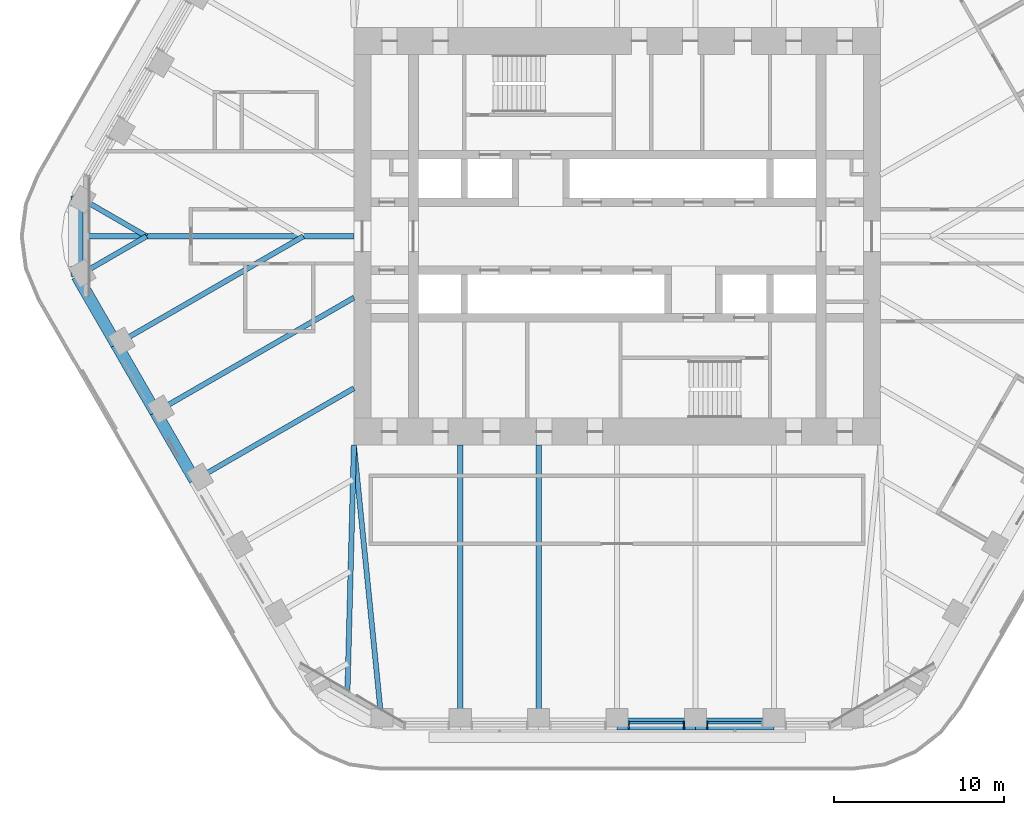
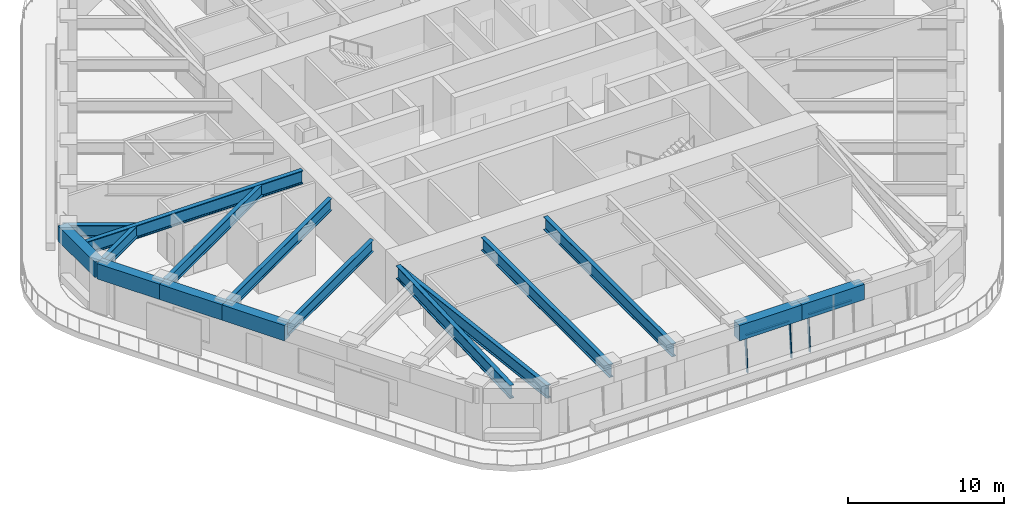
# One storey, part 3 of 20: 16 beams, 5 members, 2 elements without a shape of their own.
"""IFC4 building model written with IfcOpenShell, lengths in metres."""

from ifc_helpers import new_model, si_unit, direction, frame, origin, origin_2d, place, context, subcontext, project, spatial, rectangle, i_section, extrude, material, material_profile, profile_set, type_object, element, aggregate, save


model = new_model("IFC4")

# Units and contexts
model_context = context("Model", 3, precision=1e-05, world=origin(), true_north=direction((0.0, 1.0)))
body_context = subcontext(model_context, "Body", "Model", "MODEL_VIEW")
ifc_project = project(units=[si_unit("LENGTHUNIT", "METRE"), si_unit("AREAUNIT", "SQUARE_METRE"), si_unit("VOLUMEUNIT", "CUBIC_METRE"), si_unit("PLANEANGLEUNIT", "RADIAN"), si_unit("MASSUNIT", "GRAM", prefix="KILO")], contexts=[model_context])

# Site, building, storey
site_placement = place(None, origin())
site = spatial("IfcSite", under=ifc_project, at=site_placement, CompositionType="ELEMENT")
building_placement = place(site_placement, origin())
building = spatial("IfcBuilding", under=site, at=building_placement, Name="Tarfa Lantern Tower", CompositionType="ELEMENT")
storey_placement = place(building_placement, frame((0.0, 0.0, 240.699951171875)))
storey = spatial("IfcBuildingStorey", under=building, at=storey_placement, Name="L54", CompositionType="ELEMENT", Elevation=240.699951171875)

# Curtain wall, members
ifc_material_1 = material(Name="Aluminium framed curtain wall", Category="aluminium")
curtain_wall_type = type_object("IfcCurtainWallType", Name="CW3 CANTED GLAZING HIGH ZONE 2800", PredefinedType="USERDEFINED", material=ifc_material_1)
curtain_wall_1_placement = place(storey_placement, origin())
curtain_wall_1 = element("IfcCurtainWall", 1, at=curtain_wall_1_placement, inside=storey, type_object=curtain_wall_type, Name="CW3 S L54", ObjectType="CURTAIN WALL", PredefinedType="USERDEFINED")
ifc_material_2 = material(Name="Aluminium mullion", Category="aluminium")
ifc_material_profile_1 = material_profile(ifc_material_2, rectangle(XDim=0.06494140625, YDim=0.199951171875, at=origin_2d()), Name="AL MULLION 65x200")
ifc_profile_set_1 = profile_set([ifc_material_profile_1], Name="Aluminium mullion")
member_type_1 = type_object("IfcMemberType", Name="CWM1 MULLION 65x200", PredefinedType="MULLION", material=ifc_profile_set_1)
member_1_placement = place(storey_placement, frame((0.6826171875, -28.89990234375, 0.0), z_axis=(0.0, 0.088930399417, 0.996037842685), x_axis=(-1.0, 0.0, 0.0)))
member_1 = element("IfcMember", 2, at=member_1_placement, type_object=member_type_1, Name="CW3 mullion 1", PredefinedType="MULLION", context=body_context, shape_type="SweptSolid", body=[
    extrude(rectangle(XDim=0.06494140625, YDim=0.199951171875, at=origin_2d()), origin(), (0.0, 0.0, 1.0), 2.811279296875),
])
member_2_placement = place(storey_placement, frame((3.936279296875, -28.89990234375, 0.0), z_axis=(0.0, 0.088930399417, 0.996037842685), x_axis=(-1.0, 0.0, 0.0)))
member_2 = element("IfcMember", 3, at=member_2_placement, type_object=member_type_1, Name="CW3 mullion 2", PredefinedType="MULLION", context=body_context, shape_type="SweptSolid", body=[
    extrude(rectangle(XDim=0.06494140625, YDim=0.199951171875, at=origin_2d()), origin(), (0.0, 0.0, 1.0), 2.811279296875),
])

# Curtain wall, member
curtain_wall_2_placement = place(storey_placement, origin())
curtain_wall_2 = element("IfcCurtainWall", 4, at=curtain_wall_2_placement, inside=storey, type_object=curtain_wall_type, Name="CW3 S L54", ObjectType="CURTAIN WALL", PredefinedType="USERDEFINED")
member_3_placement = place(storey_placement, frame((5.30126953125, -28.89990234375, 0.0), z_axis=(0.0, 0.088930399417, 0.996037842685), x_axis=(-1.0, 0.0, 0.0)))
member_3 = element("IfcMember", 5, at=member_3_placement, type_object=member_type_1, Name="CW3 mullion 1", PredefinedType="MULLION", context=body_context, shape_type="SweptSolid", body=[
    extrude(rectangle(XDim=0.06494140625, YDim=0.199951171875, at=origin_2d()), origin(), (0.0, 0.0, 1.0), 2.811279296875),
])

# Member
ifc_material_3 = material(Name="Aluminium transom", Category="aluminium")
ifc_material_profile_2 = material_profile(ifc_material_3, rectangle(XDim=0.14990234375, YDim=0.06494140625, at=origin_2d()), Name="AL TRANSOM 150x65")
ifc_profile_set_2 = profile_set([ifc_material_profile_2], Name="Aluminium transom")
member_type_2 = type_object("IfcMemberType", Name="CWT1 TRANSOM 150x65", PredefinedType="USERDEFINED", material=ifc_profile_set_2)
member_4_placement = place(storey_placement, frame((0.715087890625, -28.65283203125, 2.767578125), z_axis=(1.0, 0.0, 0.0), x_axis=(0.0, 1.0, 0.0)))
member_4 = element("IfcMember", 6, at=member_4_placement, type_object=member_type_2, Name="CW3 transom 1.2", ObjectType="TRANSOM", PredefinedType="USERDEFINED", context=body_context, shape_type="SweptSolid", body=[
    extrude(rectangle(XDim=0.14990234375, YDim=0.06494140625, at=origin_2d()), origin(), (0.0, 0.0, 1.0), 3.188720703125),
])

aggregate(curtain_wall_1, [member_1, member_2, member_4])

member_5_placement = place(storey_placement, frame((5.333740234375, -28.65283203125, 2.767578125), z_axis=(1.0, 0.0, 0.0), x_axis=(0.0, 1.0, 0.0)))
member_5 = element("IfcMember", 7, at=member_5_placement, type_object=member_type_2, Name="CW3 transom 1.2", ObjectType="TRANSOM", PredefinedType="USERDEFINED", context=body_context, shape_type="SweptSolid", body=[
    extrude(rectangle(XDim=0.14990234375, YDim=0.06494140625, at=origin_2d()), origin(), (0.0, 0.0, 1.0), 3.18896484375),
])

aggregate(curtain_wall_2, [member_3, member_5])

# Beams
ifc_material_4 = material(Name="Concrete C80/95", Category="concrete")
ifc_material_profile_3 = material_profile(ifc_material_4, rectangle(XDim=0.699951171875, YDim=1.199951171875, at=origin_2d()), Name="RC 700x1200")
ifc_profile_set_3 = profile_set([ifc_material_profile_3], Name="Concrete C80/95")
beam_type_1 = type_object("IfcBeamType", Name="EB3 RC 700x1200", PredefinedType="SPANDREL", material=ifc_profile_set_3)
beam_1_placement = place(storey_placement, frame((-31.800537109375, 2.360107421875, 3.400146484375), z_axis=(0.0, -1.0, 0.0), x_axis=(1.0, 0.0, 0.0)))
element("IfcBeam", 8, at=beam_1_placement, inside=storey, type_object=beam_type_1, Name="Edge beam NW6", PredefinedType="SPANDREL", context=body_context, shape_type="SweptSolid", body=[
    extrude(rectangle(XDim=0.699951171875, YDim=1.199951171875, at=origin_2d()), origin(), (0.0, 0.0, 1.0), 4.72021484375),
])
beam_2_placement = place(storey_placement, frame((-31.800537109375, -2.360107421875, 3.400146484375), z_axis=(0.500027479704, -0.866009537788, 0.0), x_axis=(0.866009537788, 0.500027479704, 0.0)))
element("IfcBeam", 9, at=beam_2_placement, inside=storey, type_object=beam_type_1, Name="Edge beam SW0", PredefinedType="SPANDREL", context=body_context, shape_type="SweptSolid", body=[
    extrude(rectangle(XDim=0.699951171875, YDim=1.199951171875, at=origin_2d()), origin(), (0.0, 0.0, 1.0), 4.618896484375),
])
for number, where, z_axis, x_axis, name in (
    (10, (-29.490966796875, -6.360107421875, 3.400146484375), (0.499987836815, -0.866032426089, 0.0), (0.866032426089, 0.499987836815, 0.0), "Edge beam SW1"),
    (11, (-27.181640625, -10.360107421875, 3.400146484375), (0.499987836815, -0.866032426089, 0.0), (0.866032426089, 0.499987836815, 0.0), "Edge beam SW2"),
):
    element("IfcBeam", number, at=place(storey_placement, frame(where, z_axis=z_axis, x_axis=x_axis)), inside=storey, type_object=beam_type_1, Name=name, PredefinedType="SPANDREL", context=body_context, shape_type="SweptSolid", body=[
        extrude(rectangle(XDim=0.699951171875, YDim=1.199951171875, at=origin_2d()), origin(), (0.0, 0.0, 1.0), 4.61865234375),
    ])
beam_3_placement = place(storey_placement, frame((0.0, -28.719970703125, 3.400146484375), z_axis=(1.0, 0.0, 0.0), x_axis=(0.0, 1.0, 0.0)))
element("IfcBeam", 12, at=beam_3_placement, inside=storey, type_object=beam_type_1, Name="Edge beam S3", PredefinedType="SPANDREL", context=body_context, shape_type="SweptSolid", body=[
    extrude(rectangle(XDim=0.699951171875, YDim=1.199951171875, at=origin_2d()), origin(), (0.0, 0.0, 1.0), 4.618896484375),
])
beam_4_placement = place(storey_placement, frame((4.618896484375, -28.719970703125, 3.400146484375), z_axis=(1.0, 0.0, 0.0), x_axis=(0.0, 1.0, 0.0)))
element("IfcBeam", 13, at=beam_4_placement, inside=storey, type_object=beam_type_1, Name="Edge beam S4", PredefinedType="SPANDREL", context=body_context, shape_type="SweptSolid", body=[
    extrude(rectangle(XDim=0.699951171875, YDim=1.199951171875, at=origin_2d()), origin(), (0.0, 0.0, 1.0), 4.61865234375),
])
ifc_material_5 = material(Name="Steel S460M", Category="steel")
ifc_material_profile_4 = material_profile(ifc_material_5, i_section(OverallWidth=0.302001953125, OverallDepth=1.008056640625, WebThickness=0.02099609375, FlangeThickness=0.0400390625, FilletRadius=0.030029296875, at=origin_2d()), Name="UB1016x305x349")
ifc_profile_set_4 = profile_set([ifc_material_profile_4], Name="Steel S460M")
beam_type_2 = type_object("IfcBeamType", Name="UB1016x305x349", PredefinedType="BEAM", material=ifc_profile_set_4)
beam_5_placement = place(storey_placement, frame((-13.8564453125, -28.719970703125, 3.49609375), z_axis=(-0.099597466746, 0.995027810977, 0.0), x_axis=(-0.995027810977, -0.099597466746, 0.0)))
element("IfcBeam", 14, at=beam_5_placement, inside=storey, type_object=beam_type_2, Name="Floor beam S0", PredefinedType="BEAM", context=body_context, shape_type="SweptSolid", body=[
    extrude(i_section(OverallWidth=0.302001953125, OverallDepth=1.008056640625, WebThickness=0.02099609375, FlangeThickness=0.0400390625, FilletRadius=0.030029296875, at=origin_2d()), origin(), (0.0, 0.0, 1.0), 16.501953125),
])
for number, where, z_axis, x_axis, name in (
    (15, (-9.237548828125, -28.719970703125, 3.49609375), (0.0, 1.0, 0.0), (-1.0, 0.0, 0.0), "Floor beam S1"),
    (16, (-4.618896484375, -28.719970703125, 3.49609375), (0.0, 1.0, 0.0), (-1.0, 0.0, 0.0), "Floor beam S2"),
):
    element("IfcBeam", number, at=place(storey_placement, frame(where, z_axis=z_axis, x_axis=x_axis)), inside=storey, type_object=beam_type_2, Name=name, PredefinedType="BEAM", context=body_context, shape_type="SweptSolid", body=[
        extrude(i_section(OverallWidth=0.302001953125, OverallDepth=1.008056640625, WebThickness=0.02099609375, FlangeThickness=0.0400390625, FilletRadius=0.030029296875, at=origin_2d()), origin(), (0.0, 0.0, 1.0), 16.419921875),
    ])
ifc_material_profile_5 = material_profile(ifc_material_5, i_section(OverallWidth=0.30859375, OverallDepth=1.036376953125, WebThickness=0.030029296875, FlangeThickness=0.05419921875, FilletRadius=0.030029296875, at=origin_2d()), Name="UB1016x305x487")
ifc_profile_set_5 = profile_set([ifc_material_profile_5], Name="Steel S460M")
beam_type_3 = type_object("IfcBeamType", Name="UB1016x305x487", PredefinedType="BEAM", material=ifc_profile_set_5)
beam_6_placement = place(storey_placement, frame((-15.5, 0.0, 3.48193359375), z_axis=(-1.0, 0.0, 0.0), x_axis=(0.0, -1.0, 0.0)))
element("IfcBeam", 17, at=beam_6_placement, inside=storey, type_object=beam_type_3, Name="Hip girder W", PredefinedType="BEAM", context=body_context, shape_type="SweptSolid", body=[
    extrude(i_section(OverallWidth=0.30859375, OverallDepth=1.036376953125, WebThickness=0.030029296875, FlangeThickness=0.05419921875, FilletRadius=0.030029296875, at=origin_2d()), origin(), (0.0, 0.0, 1.0), 16.300537109375),
])
beam_7_placement = place(storey_placement, frame((-15.5, -12.300048828125, 3.48193359375), z_axis=(-0.026247301989, -0.999655480222, 0.0), x_axis=(0.999655480222, -0.026247301989, 0.0)))
element("IfcBeam", 18, at=beam_7_placement, inside=storey, type_object=beam_type_3, Name="Hip girder SW", PredefinedType="BEAM", context=body_context, shape_type="SweptSolid", body=[
    extrude(i_section(OverallWidth=0.30859375, OverallDepth=1.036376953125, WebThickness=0.030029296875, FlangeThickness=0.05419921875, FilletRadius=0.030029296875, at=origin_2d()), origin(), (0.0, 0.0, 1.0), 15.245361328125),
])
ifc_material_profile_6 = material_profile(ifc_material_5, i_section(OverallWidth=0.305419921875, OverallDepth=0.91845703125, WebThickness=0.017333984375, FlangeThickness=0.02783203125, FilletRadius=0.01904296875, at=origin_2d()), Name="UB914x305x253")
ifc_profile_set_6 = profile_set([ifc_material_profile_6], Name="Steel S460M")
beam_type_4 = type_object("IfcBeamType", Name="UB914x305x253", PredefinedType="BEAM", material=ifc_profile_set_6)
for number, where, z_axis, x_axis, name in (
    (19, (-31.800537109375, 2.360107421875, 3.540771484375), (0.866015897305, -0.500016465344, 0.0), (0.500016465344, 0.866015897305, 0.0), "Floor beam NW6"),
    (20, (-31.800537109375, -2.360107421875, 3.540771484375), (0.866015897305, 0.500016465344, 0.0), (-0.500016465344, 0.866015897305, 0.0), "Floor beam SW0"),
):
    element("IfcBeam", number, at=place(storey_placement, frame(where, z_axis=z_axis, x_axis=x_axis)), inside=storey, type_object=beam_type_4, Name=name, PredefinedType="BEAM", context=body_context, shape_type="SweptSolid", body=[
        extrude(i_section(OverallWidth=0.305419921875, OverallDepth=0.91845703125, WebThickness=0.017333984375, FlangeThickness=0.02783203125, FilletRadius=0.01904296875, at=origin_2d()), origin(), (0.0, 0.0, 1.0), 4.719970703125),
    ])
beam_8_placement = place(storey_placement, frame((-29.490966796875, -6.360107421875, 3.540771484375), z_axis=(0.866022258038, 0.500005448553, 0.0), x_axis=(-0.500005448553, 0.866022258038, 0.0)))
element("IfcBeam", 21, at=beam_8_placement, inside=storey, type_object=beam_type_4, Name="Floor beam SW1", PredefinedType="BEAM", context=body_context, shape_type="SweptSolid", body=[
    extrude(i_section(OverallWidth=0.305419921875, OverallDepth=0.91845703125, WebThickness=0.017333984375, FlangeThickness=0.02783203125, FilletRadius=0.01904296875, at=origin_2d()), origin(), (0.0, 0.0, 1.0), 12.719970703125),
])
beam_9_placement = place(storey_placement, frame((-27.181640625, -10.360107421875, 3.540771484375), z_axis=(0.866018002818, 0.500012818631, 0.0), x_axis=(-0.500012818631, 0.866018002818, 0.0)))
element("IfcBeam", 22, at=beam_9_placement, inside=storey, type_object=beam_type_4, Name="Floor beam SW2", PredefinedType="BEAM", context=body_context, shape_type="SweptSolid", body=[
    extrude(i_section(OverallWidth=0.305419921875, OverallDepth=0.91845703125, WebThickness=0.017333984375, FlangeThickness=0.02783203125, FilletRadius=0.01904296875, at=origin_2d()), origin(), (0.0, 0.0, 1.0), 13.489013671875),
])
beam_10_placement = place(storey_placement, frame((-24.872314453125, -14.360107421875, 3.540771484375), z_axis=(0.8660244219, 0.500001700669, 0.0), x_axis=(-0.500001700669, 0.8660244219, 0.0)))
element("IfcBeam", 23, at=beam_10_placement, inside=storey, type_object=beam_type_4, Name="Floor beam SW3", PredefinedType="BEAM", context=body_context, shape_type="SweptSolid", body=[
    extrude(i_section(OverallWidth=0.305419921875, OverallDepth=0.91845703125, WebThickness=0.017333984375, FlangeThickness=0.02783203125, FilletRadius=0.01904296875, at=origin_2d()), origin(), (0.0, 0.0, 1.0), 10.822265625),
])

save(model, "model.ifc")
